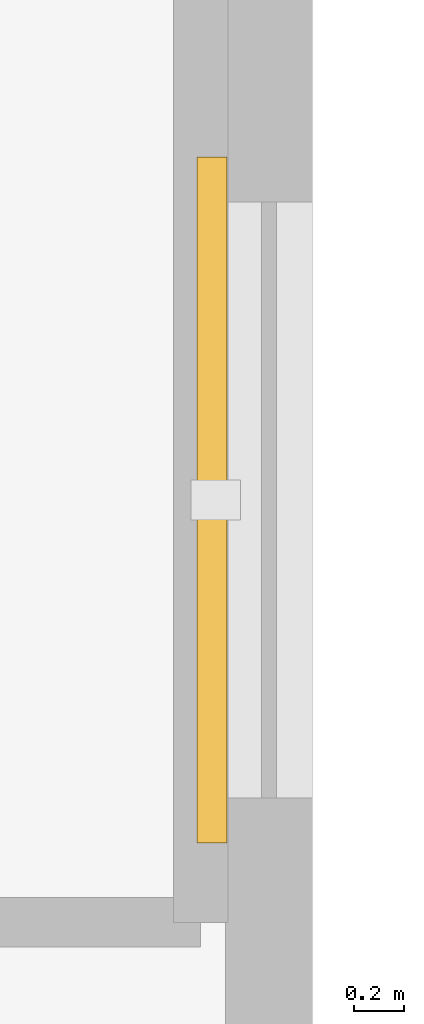
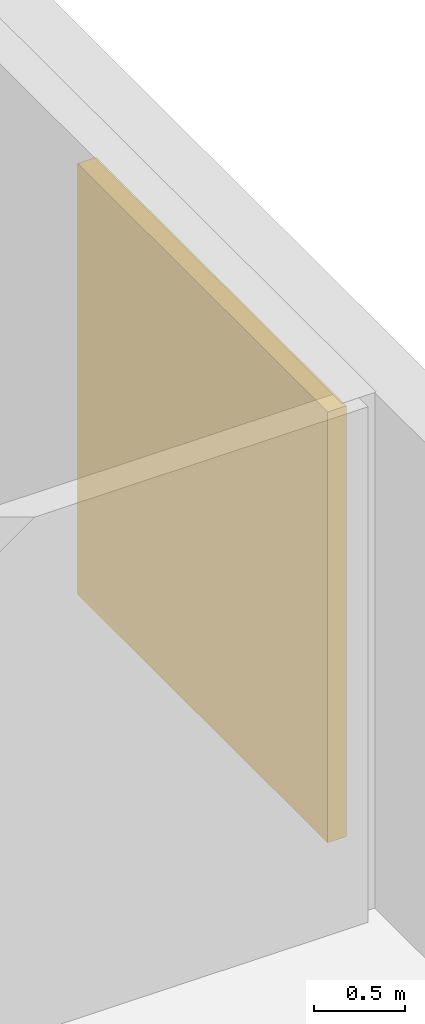
# One storey, part 16 of 16: 1 shading device.
"""IFC4 building model written with IfcOpenShell, lengths in metres."""

from ifc_helpers import new_model, si_unit, direction, frame, origin, origin_2d, place, context, subcontext, project, spatial, rectangle, extrude, material, layer, layer_set, type_object, element, save


model = new_model("IFC4")

# Units and contexts
model_context = context("Model", 3, precision=1e-05, world=origin(), true_north=direction((0.0, 1.0)))
body_context = subcontext(model_context, "Body", "Model", "MODEL_VIEW")
ifc_project = project(units=[si_unit("LENGTHUNIT", "METRE"), si_unit("AREAUNIT", "SQUARE_METRE"), si_unit("VOLUMEUNIT", "CUBIC_METRE"), si_unit("PLANEANGLEUNIT", "RADIAN"), si_unit("MASSUNIT", "GRAM", prefix="KILO")], contexts=[model_context])

# Site, building, storey
site_placement = place(None, origin())
site = spatial("IfcSite", under=ifc_project, at=site_placement, CompositionType="ELEMENT")
building_placement = place(site_placement, origin())
building = spatial("IfcBuilding", under=site, at=building_placement, Name="Koriwani Terraces Tower", CompositionType="ELEMENT")
storey_placement = place(building_placement, frame((0.0, 0.0, 274.89990234375)))
storey = spatial("IfcBuildingStorey", under=building, at=storey_placement, Name="L68", CompositionType="ELEMENT", Elevation=274.89990234375)

# Shading device
ifc_material = material(Name="Extruded Terracotta Clay", Category="masonry")
ifc_layer = layer(ifc_material, 0.1201171875, Name="Extruded Terracotta Clay")
ifc_layer_set = layer_set([ifc_layer], Name="Extruded Terracotta Clay")
shading_device_type = type_object("IfcShadingDeviceType", Name="TERRACOTTA_BAGUETTE_SCREEN_2800", PredefinedType="USERDEFINED", material=ifc_layer_set)
shading_device_placement = place(storey_placement, frame((33.195068359375, 63.0, 0.28515625), z_axis=(0.0, 0.0, 1.0), x_axis=(0.0, -1.0, 0.0)))
element("IfcShadingDevice", 1, at=shading_device_placement, inside=storey, type_object=shading_device_type, Name="L68 Extruded Terracotta Baguette Screen (NW_IN-11)", ObjectType="BAGUETTE", PredefinedType="USERDEFINED", context=body_context, shape_type="SweptSolid", body=[
    extrude(rectangle(XDim=2.760009765625, YDim=0.1201171875, at=origin_2d()), origin(), (0.0, 0.0, 1.0), 2.89990234375),
])

save(model, "model.ifc")
